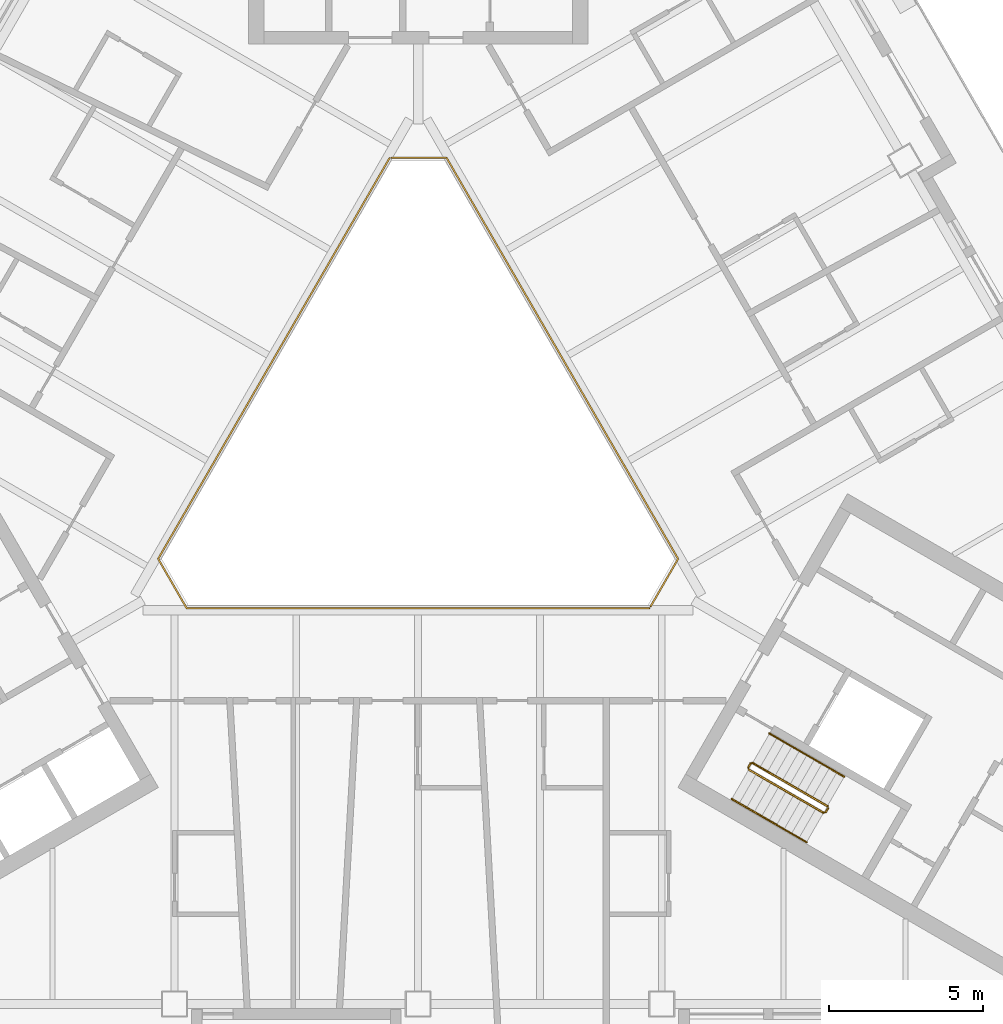
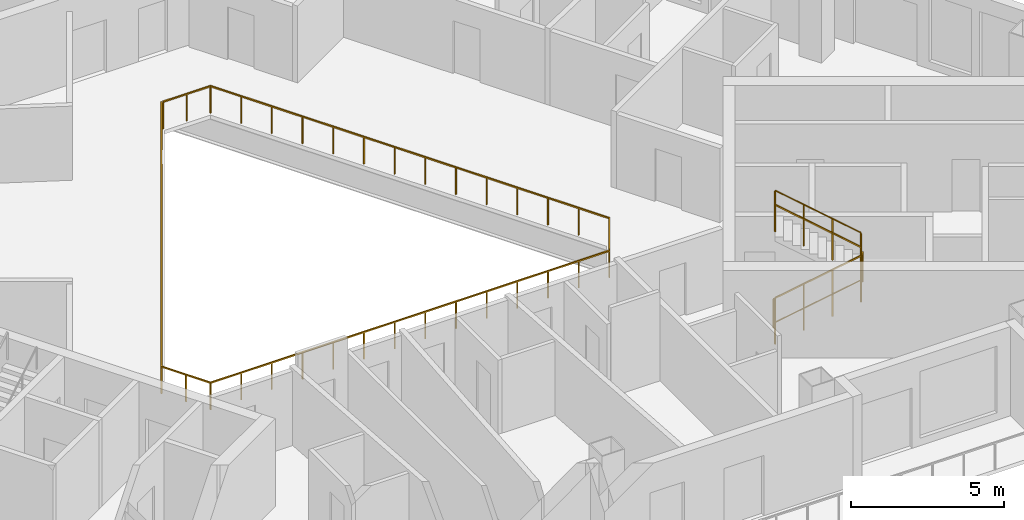
# One storey, part 12 of 14: 8 railings.
"""IFC4 building model written with IfcOpenShell, lengths in metres."""

from ifc_helpers import new_model, si_unit, direction, frame, origin, origin_2d, place, context, subcontext, project, spatial, rectangle, circle, extrude, material, type_object, element, save


model = new_model("IFC4")

# Units and contexts
model_context = context("Model", 3, precision=1e-05, world=origin(), true_north=direction((0.0, 1.0)))
body_context = subcontext(model_context, "Body", "Model", "MODEL_VIEW")
ifc_project = project(units=[si_unit("LENGTHUNIT", "METRE"), si_unit("AREAUNIT", "SQUARE_METRE"), si_unit("VOLUMEUNIT", "CUBIC_METRE"), si_unit("PLANEANGLEUNIT", "RADIAN"), si_unit("MASSUNIT", "GRAM", prefix="KILO")], contexts=[model_context])

# Site, building, storey
site_placement = place(None, origin())
site = spatial("IfcSite", under=ifc_project, at=site_placement, CompositionType="ELEMENT")
building_placement = place(site_placement, origin())
building = spatial("IfcBuilding", under=site, at=building_placement, Name="Apuvela Tower Hotel", CompositionType="ELEMENT")
storey_placement = place(building_placement, frame((0.0, 0.0, 150.300048828125)))
storey = spatial("IfcBuildingStorey", under=building, at=storey_placement, Name="L35", CompositionType="ELEMENT", Elevation=150.300048828125)

# Railings
ifc_material_1 = material(Name="Steel S275 balustrade", Category="steel")
railing_type_1 = type_object("IfcRailingType", Name="COR-GUARD-1100", PredefinedType="GUARDRAIL", material=ifc_material_1)
railing_1_placement = place(storey_placement, frame((10.718994140625, -10.63427734375, 0.168212890625)))
element("IfcRailing", 1, at=railing_1_placement, inside=storey, type_object=railing_type_1, Name="L35 ST3 stair guard 1", PredefinedType="GUARDRAIL", context=body_context, shape_type="SweptSolid", body=[
    extrude(rectangle(XDim=0.048095703125, YDim=0.048095703125, at=origin_2d()), frame((0.0, 0.0, 1.076171875), z_axis=(0.74241905619, -0.428617687091, 0.514879426), x_axis=(0.49998411664, 0.866034573852, 0.0)), (0.0, 0.0, 1.0), 3.26611328125),
    extrude(rectangle(XDim=0.0419921875, YDim=0.0419921875, at=origin_2d()), origin(), (0.0, 0.0, 1.0), 1.052001953125),
    extrude(rectangle(XDim=0.0419921875, YDim=0.0419921875, at=origin_2d()), frame((0.808349609375, -0.466552734375, 0.560546875)), (0.0, 0.0, 1.0), 1.052001953125),
    extrude(rectangle(XDim=0.0419921875, YDim=0.0419921875, at=origin_2d()), frame((1.616455078125, -0.933349609375, 1.12109375)), (0.0, 0.0, 1.0), 1.052001953125),
    extrude(rectangle(XDim=0.0419921875, YDim=0.0419921875, at=origin_2d()), frame((2.4248046875, -1.39990234375, 1.681640625)), (0.0, 0.0, 1.0), 1.052001953125),
])
railing_2_placement = place(storey_placement, frame((13.212158203125, -12.015869140625, 1.849853515625)))
element("IfcRailing", 2, at=railing_2_placement, inside=storey, type_object=railing_type_1, Name="L35 ST3 stair guard 2", PredefinedType="GUARDRAIL", context=body_context, shape_type="SweptSolid", body=[
    extrude(rectangle(XDim=0.048095703125, YDim=0.048095703125, at=origin_2d()), frame((0.0, 0.0, 1.076171875), z_axis=(0.499816412211, 0.866131372301, 0.0), x_axis=(-0.866131372301, 0.499816412211, 0.0)), (0.0, 0.0, 1.0), 0.14990234375),
    extrude(rectangle(XDim=0.0419921875, YDim=0.0419921875, at=origin_2d()), origin(), (0.0, 0.0, 1.0), 1.052001953125),
    extrude(rectangle(XDim=0.0419921875, YDim=0.0419921875, at=origin_2d()), frame((0.074951171875, 0.1298828125, 0.0)), (0.0, 0.0, 1.0), 1.052001953125),
])
railing_3_placement = place(storey_placement, frame((13.268798828125, -11.817626953125, 2.01806640625)))
element("IfcRailing", 3, at=railing_3_placement, inside=storey, type_object=railing_type_1, Name="L35 ST3 stair guard 3", PredefinedType="GUARDRAIL", context=body_context, shape_type="SweptSolid", body=[
    extrude(rectangle(XDim=0.048095703125, YDim=0.048095703125, at=origin_2d()), frame((0.0, 0.0, 1.076171875), z_axis=(-0.742390482028, 0.42860119049, 0.514934356695), x_axis=(-0.49998411664, -0.866034573852, 0.0)), (0.0, 0.0, 1.0), 3.26611328125),
    extrude(rectangle(XDim=0.0419921875, YDim=0.0419921875, at=origin_2d()), origin(), (0.0, 0.0, 1.0), 1.052001953125),
    extrude(rectangle(XDim=0.0419921875, YDim=0.0419921875, at=origin_2d()), frame((-0.808349609375, 0.466552734375, 0.560546875)), (0.0, 0.0, 1.0), 1.052001953125),
    extrude(rectangle(XDim=0.0419921875, YDim=0.0419921875, at=origin_2d()), frame((-1.616455078125, 0.933349609375, 1.121337890625)), (0.0, 0.0, 1.0), 1.052001953125),
    extrude(rectangle(XDim=0.0419921875, YDim=0.0419921875, at=origin_2d()), frame((-2.4248046875, 1.39990234375, 1.681884765625)), (0.0, 0.0, 1.0), 1.052001953125),
])
railing_4_placement = place(storey_placement, frame((10.70068359375, -10.56591796875, 0.0)))
element("IfcRailing", 4, at=railing_4_placement, inside=storey, type_object=railing_type_1, Name="L35 ST3 stair guard 4", PredefinedType="GUARDRAIL", context=body_context, shape_type="SweptSolid", body=[
    extrude(rectangle(XDim=0.048095703125, YDim=0.048095703125, at=origin_2d()), frame((0.0, 0.0, 1.076171875), z_axis=(0.499816412211, 0.866131372301, 0.0), x_axis=(-0.866131372301, 0.499816412211, 0.0)), (0.0, 0.0, 1.0), 0.14990234375),
    extrude(rectangle(XDim=0.0419921875, YDim=0.0419921875, at=origin_2d()), origin(), (0.0, 0.0, 1.0), 1.052001953125),
    extrude(rectangle(XDim=0.0419921875, YDim=0.0419921875, at=origin_2d()), frame((0.074951171875, 0.1298828125, 0.0)), (0.0, 0.0, 1.0), 1.052001953125),
])
ifc_material_2 = material(Name="Stainless steel 316 handrail", Category="steel")
railing_type_2 = type_object("IfcRailingType", Name="COR-HANDRAIL-900", PredefinedType="HANDRAIL", material=ifc_material_2)
railing_5_placement = place(storey_placement, frame((10.1689453125, -11.5869140625, 0.168212890625)))
element("IfcRailing", 5, at=railing_5_placement, inside=storey, type_object=railing_type_2, Name="L35 ST3 stair handrail 1", PredefinedType="HANDRAIL", context=body_context, shape_type="SweptSolid", body=[
    extrude(circle(Radius=0.02392578125, at=origin_2d()), frame((0.0, 0.0, 0.8759765625), z_axis=(0.74241905619, -0.428617687091, 0.514879426), x_axis=(0.49998411664, 0.866034573852, 0.0)), (0.0, 0.0, 1.0), 3.26611328125),
    extrude(rectangle(XDim=0.0419921875, YDim=0.0419921875, at=origin_2d()), origin(), (0.0, 0.0, 1.0), 0.851806640625),
    extrude(rectangle(XDim=0.0419921875, YDim=0.0419921875, at=origin_2d()), frame((0.808349609375, -0.466552734375, 0.560546875)), (0.0, 0.0, 1.0), 0.851806640625),
    extrude(rectangle(XDim=0.0419921875, YDim=0.0419921875, at=origin_2d()), frame((1.616455078125, -0.933349609375, 1.12109375)), (0.0, 0.0, 1.0), 0.851806640625),
    extrude(rectangle(XDim=0.0419921875, YDim=0.0419921875, at=origin_2d()), frame((2.4248046875, -1.39990234375, 1.681640625)), (0.0, 0.0, 1.0), 0.851806640625),
])
railing_6_placement = place(storey_placement, frame((13.81884765625, -10.864990234375, 2.01806640625)))
element("IfcRailing", 6, at=railing_6_placement, inside=storey, type_object=railing_type_2, Name="L35 ST3 stair handrail 2", PredefinedType="HANDRAIL", context=body_context, shape_type="SweptSolid", body=[
    extrude(circle(Radius=0.02392578125, at=origin_2d()), frame((0.0, 0.0, 0.8759765625), z_axis=(-0.742390482028, 0.42860119049, 0.514934356695), x_axis=(-0.49998411664, -0.866034573852, 0.0)), (0.0, 0.0, 1.0), 3.26611328125),
    extrude(rectangle(XDim=0.0419921875, YDim=0.0419921875, at=origin_2d()), origin(), (0.0, 0.0, 1.0), 0.851806640625),
    extrude(rectangle(XDim=0.0419921875, YDim=0.0419921875, at=origin_2d()), frame((-0.808349609375, 0.466552734375, 0.560546875)), (0.0, 0.0, 1.0), 0.851806640625),
    extrude(rectangle(XDim=0.0419921875, YDim=0.0419921875, at=origin_2d()), frame((-1.616455078125, 0.933349609375, 1.121337890625)), (0.0, 0.0, 1.0), 0.851806640625),
    extrude(rectangle(XDim=0.0419921875, YDim=0.0419921875, at=origin_2d()), frame((-2.4248046875, 1.39990234375, 1.681884765625)), (0.0, 0.0, 1.0), 0.851806640625),
])
ifc_material_3 = material(Name="Stainless steel 316 rail with laminated glass infill", Category="steel")
railing_type_3 = type_object("IfcRailingType", Name="ENV-GUARD-1100", PredefinedType="GUARDRAIL", material=ifc_material_3)
railing_7_placement = place(storey_placement, frame((-0.923828125, 9.199951171875, 0.0)))
element("IfcRailing", 7, at=railing_7_placement, inside=storey, type_object=railing_type_3, Name="Atrium void guard A L35", PredefinedType="GUARDRAIL", context=body_context, shape_type="SweptSolid", body=[
    extrude(rectangle(XDim=0.050048828125, YDim=0.050048828125, at=origin_2d()), frame((0.0, 0.0, 1.0751953125), z_axis=(-0.499990886379, -0.866030665472, 0.0), x_axis=(0.866030665472, -0.499990886379, 0.0)), (0.0, 0.0, 1.0), 15.010986328125),
    extrude(rectangle(XDim=0.050048828125, YDim=0.050048828125, at=origin_2d()), frame((-7.50537109375, -13.0, 1.0751953125), z_axis=(0.499962699187, -0.866046938348, 0.0), x_axis=(0.866046938348, 0.499962699187, 0.0)), (0.0, 0.0, 1.0), 1.847412109375),
    extrude(rectangle(XDim=0.050048828125, YDim=0.050048828125, at=origin_2d()), frame((-6.581787109375, -14.599853515625, 1.0751953125), z_axis=(1.0, 0.0, 0.0), x_axis=(0.0, 1.0, 0.0)), (0.0, 0.0, 1.0), 15.01123046875),
    extrude(rectangle(XDim=0.0400390625, YDim=0.0400390625, at=origin_2d()), origin(), (0.0, 0.0, 1.0), 1.050048828125),
    extrude(rectangle(XDim=0.0400390625, YDim=0.0400390625, at=origin_2d()), frame((-0.577392578125, -1.0, 0.0)), (0.0, 0.0, 1.0), 1.050048828125),
    extrude(rectangle(XDim=0.0400390625, YDim=0.0400390625, at=origin_2d()), frame((-1.15478515625, -2.0, 0.0)), (0.0, 0.0, 1.0), 1.050048828125),
    extrude(rectangle(XDim=0.0400390625, YDim=0.0400390625, at=origin_2d()), frame((-1.73193359375, -3.0, 0.0)), (0.0, 0.0, 1.0), 1.050048828125),
    extrude(rectangle(XDim=0.0400390625, YDim=0.0400390625, at=origin_2d()), frame((-2.309326171875, -4.0, 0.0)), (0.0, 0.0, 1.0), 1.050048828125),
    extrude(rectangle(XDim=0.0400390625, YDim=0.0400390625, at=origin_2d()), frame((-2.88671875, -5.0, 0.0)), (0.0, 0.0, 1.0), 1.050048828125),
    extrude(rectangle(XDim=0.0400390625, YDim=0.0400390625, at=origin_2d()), frame((-3.464111328125, -6.0, 0.0)), (0.0, 0.0, 1.0), 1.050048828125),
    extrude(rectangle(XDim=0.0400390625, YDim=0.0400390625, at=origin_2d()), frame((-4.041259765625, -7.0, 0.0)), (0.0, 0.0, 1.0), 1.050048828125),
    extrude(rectangle(XDim=0.0400390625, YDim=0.0400390625, at=origin_2d()), frame((-4.61865234375, -8.0, 0.0)), (0.0, 0.0, 1.0), 1.050048828125),
    extrude(rectangle(XDim=0.0400390625, YDim=0.0400390625, at=origin_2d()), frame((-5.196044921875, -9.0, 0.0)), (0.0, 0.0, 1.0), 1.050048828125),
    extrude(rectangle(XDim=0.0400390625, YDim=0.0400390625, at=origin_2d()), frame((-5.7734375, -10.0, 0.0)), (0.0, 0.0, 1.0), 1.050048828125),
    extrude(rectangle(XDim=0.0400390625, YDim=0.0400390625, at=origin_2d()), frame((-6.3505859375, -11.0, 0.0)), (0.0, 0.0, 1.0), 1.050048828125),
    extrude(rectangle(XDim=0.0400390625, YDim=0.0400390625, at=origin_2d()), frame((-6.927978515625, -12.0, 0.0)), (0.0, 0.0, 1.0), 1.050048828125),
    extrude(rectangle(XDim=0.0400390625, YDim=0.0400390625, at=origin_2d()), frame((-7.50537109375, -13.0, 0.0)), (0.0, 0.0, 1.0), 1.050048828125),
    extrude(rectangle(XDim=0.0400390625, YDim=0.0400390625, at=origin_2d()), frame((-7.04345703125, -13.7998046875, 0.0)), (0.0, 0.0, 1.0), 1.050048828125),
    extrude(rectangle(XDim=0.0400390625, YDim=0.0400390625, at=origin_2d()), frame((-6.581787109375, -14.599853515625, 0.0)), (0.0, 0.0, 1.0), 1.050048828125),
    extrude(rectangle(XDim=0.0400390625, YDim=0.0400390625, at=origin_2d()), frame((-5.427001953125, -14.599853515625, 0.0)), (0.0, 0.0, 1.0), 1.050048828125),
    extrude(rectangle(XDim=0.0400390625, YDim=0.0400390625, at=origin_2d()), frame((-4.2724609375, -14.599853515625, 0.0)), (0.0, 0.0, 1.0), 1.050048828125),
    extrude(rectangle(XDim=0.0400390625, YDim=0.0400390625, at=origin_2d()), frame((-3.11767578125, -14.599853515625, 0.0)), (0.0, 0.0, 1.0), 1.050048828125),
    extrude(rectangle(XDim=0.0400390625, YDim=0.0400390625, at=origin_2d()), frame((-1.962890625, -14.599853515625, 0.0)), (0.0, 0.0, 1.0), 1.050048828125),
    extrude(rectangle(XDim=0.0400390625, YDim=0.0400390625, at=origin_2d()), frame((-0.808349609375, -14.599853515625, 0.0)), (0.0, 0.0, 1.0), 1.050048828125),
    extrude(rectangle(XDim=0.0400390625, YDim=0.0400390625, at=origin_2d()), frame((0.346435546875, -14.599853515625, 0.0)), (0.0, 0.0, 1.0), 1.050048828125),
    extrude(rectangle(XDim=0.0400390625, YDim=0.0400390625, at=origin_2d()), frame((1.501220703125, -14.599853515625, 0.0)), (0.0, 0.0, 1.0), 1.050048828125),
    extrude(rectangle(XDim=0.0400390625, YDim=0.0400390625, at=origin_2d()), frame((2.656005859375, -14.599853515625, 0.0)), (0.0, 0.0, 1.0), 1.050048828125),
    extrude(rectangle(XDim=0.0400390625, YDim=0.0400390625, at=origin_2d()), frame((3.810546875, -14.599853515625, 0.0)), (0.0, 0.0, 1.0), 1.050048828125),
    extrude(rectangle(XDim=0.0400390625, YDim=0.0400390625, at=origin_2d()), frame((4.96533203125, -14.599853515625, 0.0)), (0.0, 0.0, 1.0), 1.050048828125),
    extrude(rectangle(XDim=0.0400390625, YDim=0.0400390625, at=origin_2d()), frame((6.1201171875, -14.599853515625, 0.0)), (0.0, 0.0, 1.0), 1.050048828125),
    extrude(rectangle(XDim=0.0400390625, YDim=0.0400390625, at=origin_2d()), frame((7.274658203125, -14.599853515625, 0.0)), (0.0, 0.0, 1.0), 1.050048828125),
    extrude(rectangle(XDim=0.0400390625, YDim=0.0400390625, at=origin_2d()), frame((8.429443359375, -14.599853515625, 0.0)), (0.0, 0.0, 1.0), 1.050048828125),
])
railing_8_placement = place(storey_placement, frame((7.53564453125, -5.347900390625, 0.0)))
element("IfcRailing", 8, at=railing_8_placement, inside=storey, type_object=railing_type_3, Name="Atrium void guard B L35", PredefinedType="GUARDRAIL", context=body_context, shape_type="SweptSolid", body=[
    extrude(rectangle(XDim=0.050048828125, YDim=0.050048828125, at=origin_2d()), frame((0.0, 0.0, 1.0751953125), z_axis=(0.499958946799, 0.866049104564, 0.0), x_axis=(-0.866049104564, 0.499958946799, 0.0)), (0.0, 0.0, 1.0), 1.787353515625),
    extrude(rectangle(XDim=0.050048828125, YDim=0.050048828125, at=origin_2d()), frame((0.8935546875, 1.5478515625, 1.0751953125), z_axis=(-0.499990886379, 0.866030665472, 0.0), x_axis=(-0.866030665472, -0.499990886379, 0.0)), (0.0, 0.0, 1.0), 15.010986328125),
    extrude(rectangle(XDim=0.050048828125, YDim=0.050048828125, at=origin_2d()), frame((-6.61181640625, 14.5478515625, 1.0751953125), z_axis=(-1.0, 0.0, 0.0), x_axis=(0.0, -1.0, 0.0)), (0.0, 0.0, 1.0), 1.78759765625),
    extrude(rectangle(XDim=0.0400390625, YDim=0.0400390625, at=origin_2d()), origin(), (0.0, 0.0, 1.0), 1.050048828125),
    extrude(rectangle(XDim=0.0400390625, YDim=0.0400390625, at=origin_2d()), frame((0.44677734375, 0.77392578125, 0.0)), (0.0, 0.0, 1.0), 1.050048828125),
    extrude(rectangle(XDim=0.0400390625, YDim=0.0400390625, at=origin_2d()), frame((0.8935546875, 1.5478515625, 0.0)), (0.0, 0.0, 1.0), 1.050048828125),
    extrude(rectangle(XDim=0.0400390625, YDim=0.0400390625, at=origin_2d()), frame((0.316162109375, 2.5478515625, 0.0)), (0.0, 0.0, 1.0), 1.050048828125),
    extrude(rectangle(XDim=0.0400390625, YDim=0.0400390625, at=origin_2d()), frame((-0.26123046875, 3.5478515625, 0.0)), (0.0, 0.0, 1.0), 1.050048828125),
    extrude(rectangle(XDim=0.0400390625, YDim=0.0400390625, at=origin_2d()), frame((-0.83837890625, 4.5478515625, 0.0)), (0.0, 0.0, 1.0), 1.050048828125),
    extrude(rectangle(XDim=0.0400390625, YDim=0.0400390625, at=origin_2d()), frame((-1.415771484375, 5.5478515625, 0.0)), (0.0, 0.0, 1.0), 1.050048828125),
    extrude(rectangle(XDim=0.0400390625, YDim=0.0400390625, at=origin_2d()), frame((-1.9931640625, 6.5478515625, 0.0)), (0.0, 0.0, 1.0), 1.050048828125),
    extrude(rectangle(XDim=0.0400390625, YDim=0.0400390625, at=origin_2d()), frame((-2.570556640625, 7.5478515625, 0.0)), (0.0, 0.0, 1.0), 1.050048828125),
    extrude(rectangle(XDim=0.0400390625, YDim=0.0400390625, at=origin_2d()), frame((-3.147705078125, 8.5478515625, 0.0)), (0.0, 0.0, 1.0), 1.050048828125),
    extrude(rectangle(XDim=0.0400390625, YDim=0.0400390625, at=origin_2d()), frame((-3.72509765625, 9.5478515625, 0.0)), (0.0, 0.0, 1.0), 1.050048828125),
    extrude(rectangle(XDim=0.0400390625, YDim=0.0400390625, at=origin_2d()), frame((-4.302490234375, 10.5478515625, 0.0)), (0.0, 0.0, 1.0), 1.050048828125),
    extrude(rectangle(XDim=0.0400390625, YDim=0.0400390625, at=origin_2d()), frame((-4.8798828125, 11.5478515625, 0.0)), (0.0, 0.0, 1.0), 1.050048828125),
    extrude(rectangle(XDim=0.0400390625, YDim=0.0400390625, at=origin_2d()), frame((-5.45703125, 12.5478515625, 0.0)), (0.0, 0.0, 1.0), 1.050048828125),
    extrude(rectangle(XDim=0.0400390625, YDim=0.0400390625, at=origin_2d()), frame((-6.034423828125, 13.5478515625, 0.0)), (0.0, 0.0, 1.0), 1.050048828125),
    extrude(rectangle(XDim=0.0400390625, YDim=0.0400390625, at=origin_2d()), frame((-6.61181640625, 14.5478515625, 0.0)), (0.0, 0.0, 1.0), 1.050048828125),
    extrude(rectangle(XDim=0.0400390625, YDim=0.0400390625, at=origin_2d()), frame((-7.505615234375, 14.5478515625, 0.0)), (0.0, 0.0, 1.0), 1.050048828125),
    extrude(rectangle(XDim=0.0400390625, YDim=0.0400390625, at=origin_2d()), frame((-8.3994140625, 14.5478515625, 0.0)), (0.0, 0.0, 1.0), 1.050048828125),
])

save(model, "model.ifc")
